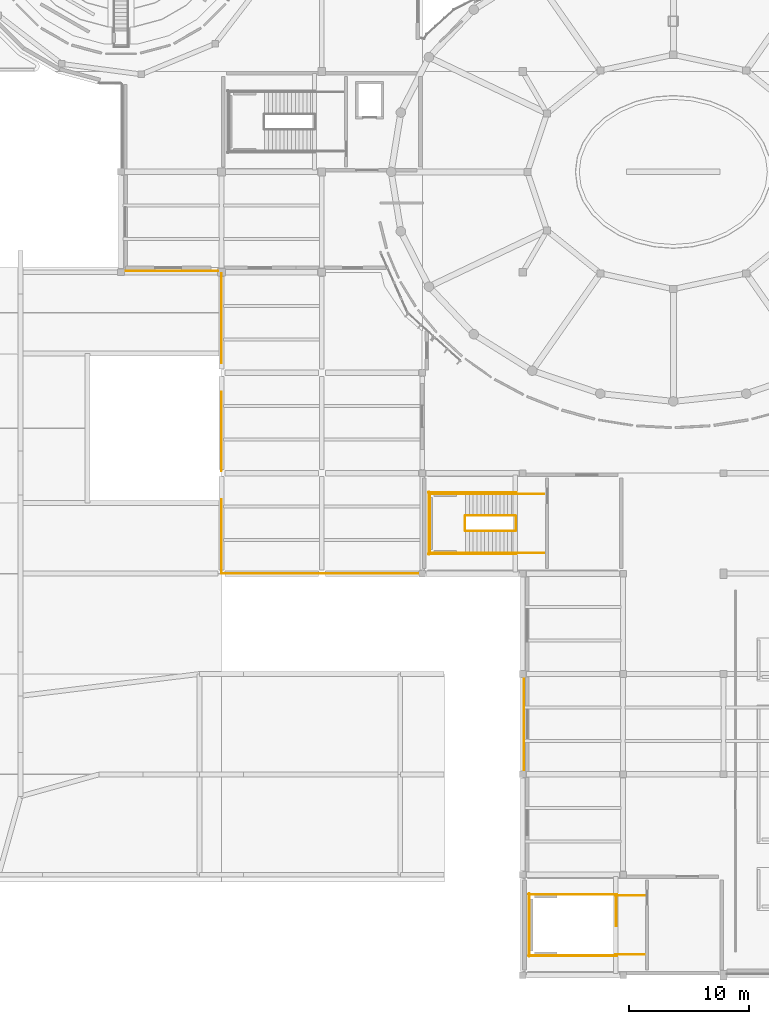
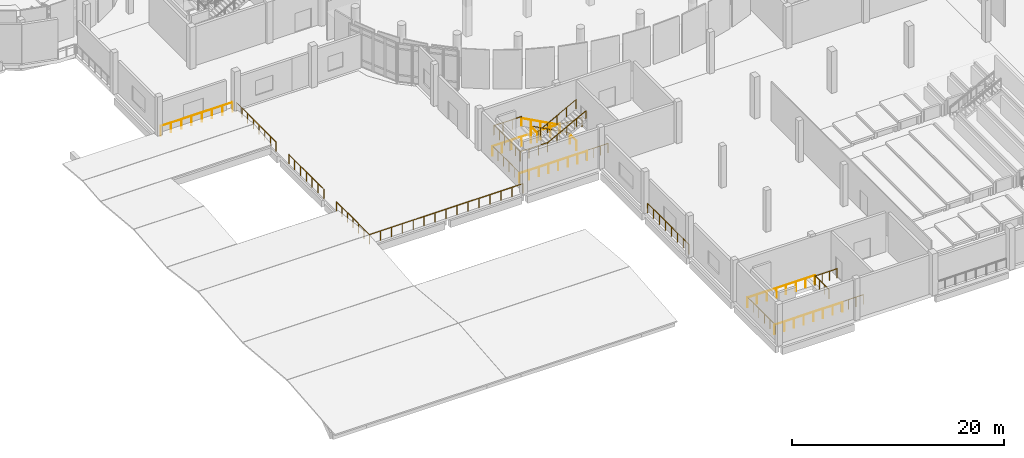
# One storey, part 49 of 63: 25 railings.
"""IFC4 building model written with IfcOpenShell, lengths in metres."""

from ifc_helpers import new_model, si_unit, derived_unit, direction, frame, origin, origin_2d, place, context, subcontext, project, spatial, circle, extrude, material, type_object, element, save


model = new_model("IFC4")

# Units and contexts
model_context = context("Model", 3, precision=1e-05, world=origin(), true_north=direction((0.0, 1.0)))
body_context = subcontext(model_context, "Body", "Model", "MODEL_VIEW")
ifc_project = project(units=[si_unit("LENGTHUNIT", "METRE"), si_unit("AREAUNIT", "SQUARE_METRE"), si_unit("VOLUMEUNIT", "CUBIC_METRE"), si_unit("PLANEANGLEUNIT", "RADIAN"), si_unit("MASSUNIT", "GRAM", prefix="KILO"), derived_unit("THERMALTRANSMITTANCEUNIT", [(si_unit("POWERUNIT", "WATT"), 1), (si_unit("LENGTHUNIT", "METRE"), -2), (si_unit("THERMODYNAMICTEMPERATUREUNIT", "KELVIN"), -1)])], contexts=[model_context])

# Site, building, storey
site_placement = place(None, origin())
site = spatial("IfcSite", under=ifc_project, at=site_placement, CompositionType="ELEMENT")
building_placement = place(site_placement, origin())
building = spatial("IfcBuilding", under=site, at=building_placement, Name="Elbkamm Science Centre", CompositionType="ELEMENT")
storey_placement = place(building_placement, frame((0.0, 0.0, 5.10009765625)))
storey = spatial("IfcBuildingStorey", under=building, at=storey_placement, Name="L01", CompositionType="ELEMENT", Elevation=5.10009765625)

# Railings
ifc_material = material(Name="Stainless steel EN 1.4401", Category="steel")
railing_type_1 = type_object("IfcRailingType", Name="RAIL-EXT-GUARD-1100", PredefinedType="GUARDRAIL", material=ifc_material)
railing_1_placement = place(storey_placement, frame((41.919921875, 33.60009765625, 0.0)))
element("IfcRailing", 1, at=railing_1_placement, inside=storey, type_object=railing_type_1, Name="L01 Outdoor Terrace Perimeter Guard 001", PredefinedType="GUARDRAIL", context=body_context, shape_type="SweptSolid", body=[
    extrude(circle(Radius=0.02392578125, at=origin_2d()), frame((0.0, 0.0, 1.078125), z_axis=(-1.0, 0.0, 0.0), x_axis=(0.0, -1.0, 0.0)), (0.0, 0.0, 1.0), 16.68994140625),
    extrude(circle(Radius=0.02392578125, at=origin_2d()), frame((-16.719970703125, 0.030029296875, 1.078125), z_axis=(0.0, 1.0, 0.0), x_axis=(-1.0, 0.0, 0.0)), (0.0, 0.0, 1.0), 6.169921875),
    extrude(circle(Radius=0.02001953125, at=origin_2d()), origin(), (0.0, 0.0, 1.0), 1.048095703125),
    extrude(circle(Radius=0.02001953125, at=origin_2d()), frame((-1.1943359375, 0.0, 0.0)), (0.0, 0.0, 1.0), 1.048095703125),
    extrude(circle(Radius=0.02001953125, at=origin_2d()), frame((-2.388671875, 0.0, 0.0)), (0.0, 0.0, 1.0), 1.048095703125),
    extrude(circle(Radius=0.02001953125, at=origin_2d()), frame((-3.582763671875, 0.0, 0.0)), (0.0, 0.0, 1.0), 1.048095703125),
    extrude(circle(Radius=0.02001953125, at=origin_2d()), frame((-4.777099609375, 0.0, 0.0)), (0.0, 0.0, 1.0), 1.048095703125),
    extrude(circle(Radius=0.02001953125, at=origin_2d()), frame((-5.971435546875, 0.0, 0.0)), (0.0, 0.0, 1.0), 1.048095703125),
    extrude(circle(Radius=0.02001953125, at=origin_2d()), frame((-7.165771484375, 0.0, 0.0)), (0.0, 0.0, 1.0), 1.048095703125),
    extrude(circle(Radius=0.02001953125, at=origin_2d()), frame((-8.35986328125, 0.0, 0.0)), (0.0, 0.0, 1.0), 1.048095703125),
    extrude(circle(Radius=0.02001953125, at=origin_2d()), frame((-9.55419921875, 0.0, 0.0)), (0.0, 0.0, 1.0), 1.048095703125),
    extrude(circle(Radius=0.02001953125, at=origin_2d()), frame((-10.74853515625, 0.0, 0.0)), (0.0, 0.0, 1.0), 1.048095703125),
    extrude(circle(Radius=0.02001953125, at=origin_2d()), frame((-11.94287109375, 0.0, 0.0)), (0.0, 0.0, 1.0), 1.048095703125),
    extrude(circle(Radius=0.02001953125, at=origin_2d()), frame((-13.13720703125, 0.0, 0.0)), (0.0, 0.0, 1.0), 1.048095703125),
    extrude(circle(Radius=0.02001953125, at=origin_2d()), frame((-14.331298828125, 0.0, 0.0)), (0.0, 0.0, 1.0), 1.048095703125),
    extrude(circle(Radius=0.02001953125, at=origin_2d()), frame((-15.525634765625, 0.0, 0.0)), (0.0, 0.0, 1.0), 1.048095703125),
    extrude(circle(Radius=0.02001953125, at=origin_2d()), frame((-16.719970703125, 0.0, 0.0)), (0.0, 0.0, 1.0), 1.048095703125),
    extrude(circle(Radius=0.02001953125, at=origin_2d()), frame((-16.719970703125, 1.033203125, 0.0)), (0.0, 0.0, 1.0), 1.048095703125),
    extrude(circle(Radius=0.02001953125, at=origin_2d()), frame((-16.719970703125, 2.066650390625, 0.0)), (0.0, 0.0, 1.0), 1.048095703125),
    extrude(circle(Radius=0.02001953125, at=origin_2d()), frame((-16.719970703125, 3.10009765625, 0.0)), (0.0, 0.0, 1.0), 1.048095703125),
    extrude(circle(Radius=0.02001953125, at=origin_2d()), frame((-16.719970703125, 4.13330078125, 0.0)), (0.0, 0.0, 1.0), 1.048095703125),
    extrude(circle(Radius=0.02001953125, at=origin_2d()), frame((-16.719970703125, 5.16650390625, 0.0)), (0.0, 0.0, 1.0), 1.048095703125),
    extrude(circle(Radius=0.02001953125, at=origin_2d()), frame((-16.719970703125, 6.199951171875, 0.0)), (0.0, 0.0, 1.0), 1.048095703125),
])
railing_2_placement = place(storey_placement, frame((25.199951171875, 42.199951171875, 0.0)))
element("IfcRailing", 2, at=railing_2_placement, inside=storey, type_object=railing_type_1, Name="L01 Outdoor Terrace Perimeter Guard 002", PredefinedType="GUARDRAIL", context=body_context, shape_type="SweptSolid", body=[
    extrude(circle(Radius=0.02392578125, at=origin_2d()), frame((0.0, 0.0, 1.078125), z_axis=(0.0, 1.0, 0.0), x_axis=(-1.0, 0.0, 0.0)), (0.0, 0.0, 1.0), 6.60009765625),
    extrude(circle(Radius=0.02001953125, at=origin_2d()), origin(), (0.0, 0.0, 1.0), 1.048095703125),
    extrude(circle(Radius=0.02001953125, at=origin_2d()), frame((0.0, 1.10009765625, 0.0)), (0.0, 0.0, 1.0), 1.048095703125),
    extrude(circle(Radius=0.02001953125, at=origin_2d()), frame((0.0, 2.199951171875, 0.0)), (0.0, 0.0, 1.0), 1.048095703125),
    extrude(circle(Radius=0.02001953125, at=origin_2d()), frame((0.0, 3.300048828125, 0.0)), (0.0, 0.0, 1.0), 1.048095703125),
    extrude(circle(Radius=0.02001953125, at=origin_2d()), frame((0.0, 4.400146484375, 0.0)), (0.0, 0.0, 1.0), 1.048095703125),
    extrude(circle(Radius=0.02001953125, at=origin_2d()), frame((0.0, 5.5, 0.0)), (0.0, 0.0, 1.0), 1.048095703125),
    extrude(circle(Radius=0.02001953125, at=origin_2d()), frame((0.0, 6.60009765625, 0.0)), (0.0, 0.0, 1.0), 1.048095703125),
])
railing_3_placement = place(storey_placement, frame((25.199951171875, 51.199951171875, 0.0)))
element("IfcRailing", 3, at=railing_3_placement, inside=storey, type_object=railing_type_1, Name="L01 Outdoor Terrace Perimeter Guard 003", PredefinedType="GUARDRAIL", context=body_context, shape_type="SweptSolid", body=[
    extrude(circle(Radius=0.02392578125, at=origin_2d()), frame((0.0, 0.0, 1.078125), z_axis=(0.0, 1.0, 0.0), x_axis=(-1.0, 0.0, 0.0)), (0.0, 0.0, 1.0), 7.52001953125),
    extrude(circle(Radius=0.02001953125, at=origin_2d()), origin(), (0.0, 0.0, 1.0), 1.048095703125),
    extrude(circle(Radius=0.02001953125, at=origin_2d()), frame((0.0, 1.07421875, 0.0)), (0.0, 0.0, 1.0), 1.048095703125),
    extrude(circle(Radius=0.02001953125, at=origin_2d()), frame((0.0, 2.148681640625, 0.0)), (0.0, 0.0, 1.0), 1.048095703125),
    extrude(circle(Radius=0.02001953125, at=origin_2d()), frame((0.0, 3.222900390625, 0.0)), (0.0, 0.0, 1.0), 1.048095703125),
    extrude(circle(Radius=0.02001953125, at=origin_2d()), frame((0.0, 4.297119140625, 0.0)), (0.0, 0.0, 1.0), 1.048095703125),
    extrude(circle(Radius=0.02001953125, at=origin_2d()), frame((0.0, 5.371337890625, 0.0)), (0.0, 0.0, 1.0), 1.048095703125),
    extrude(circle(Radius=0.02001953125, at=origin_2d()), frame((0.0, 6.44580078125, 0.0)), (0.0, 0.0, 1.0), 1.048095703125),
    extrude(circle(Radius=0.02001953125, at=origin_2d()), frame((0.0, 7.52001953125, 0.0)), (0.0, 0.0, 1.0), 1.048095703125),
])
railing_4_placement = place(storey_placement, frame((50.5, 17.080078125, 0.0)))
element("IfcRailing", 4, at=railing_4_placement, inside=storey, type_object=railing_type_1, Name="L01 Slab Edge Perimeter Guard 039", PredefinedType="GUARDRAIL", context=body_context, shape_type="SweptSolid", body=[
    extrude(circle(Radius=0.02392578125, at=origin_2d()), frame((0.0, 0.0, 1.078125), z_axis=(0.0, 1.0, 0.0), x_axis=(-1.0, 0.0, 0.0)), (0.0, 0.0, 1.0), 7.83984375),
    extrude(circle(Radius=0.02001953125, at=origin_2d()), origin(), (0.0, 0.0, 1.0), 1.048095703125),
    extrude(circle(Radius=0.02001953125, at=origin_2d()), frame((0.0, 1.119873046875, 0.0)), (0.0, 0.0, 1.0), 1.048095703125),
    extrude(circle(Radius=0.02001953125, at=origin_2d()), frame((0.0, 2.239990234375, 0.0)), (0.0, 0.0, 1.0), 1.048095703125),
    extrude(circle(Radius=0.02001953125, at=origin_2d()), frame((0.0, 3.35986328125, 0.0)), (0.0, 0.0, 1.0), 1.048095703125),
    extrude(circle(Radius=0.02001953125, at=origin_2d()), frame((0.0, 4.47998046875, 0.0)), (0.0, 0.0, 1.0), 1.048095703125),
    extrude(circle(Radius=0.02001953125, at=origin_2d()), frame((0.0, 5.599853515625, 0.0)), (0.0, 0.0, 1.0), 1.048095703125),
    extrude(circle(Radius=0.02001953125, at=origin_2d()), frame((0.0, 6.719970703125, 0.0)), (0.0, 0.0, 1.0), 1.048095703125),
    extrude(circle(Radius=0.02001953125, at=origin_2d()), frame((0.0, 7.83984375, 0.0)), (0.0, 0.0, 1.0), 1.048095703125),
])
railing_5_placement = place(storey_placement, frame((24.919921875, 58.89990234375, 0.0)))
element("IfcRailing", 5, at=railing_5_placement, inside=storey, type_object=railing_type_1, Name="L01 Slab Edge Perimeter Guard 040", PredefinedType="GUARDRAIL", context=body_context, shape_type="SweptSolid", body=[
    extrude(circle(Radius=0.02392578125, at=origin_2d()), frame((0.0, 0.0, 1.078125), z_axis=(-1.0, 0.0, 0.0), x_axis=(0.0, -1.0, 0.0)), (0.0, 0.0, 1.0), 7.83984375),
    extrude(circle(Radius=0.02001953125, at=origin_2d()), origin(), (0.0, 0.0, 1.0), 1.048095703125),
    extrude(circle(Radius=0.02001953125, at=origin_2d()), frame((-1.119873046875, 0.0, 0.0)), (0.0, 0.0, 1.0), 1.048095703125),
    extrude(circle(Radius=0.02001953125, at=origin_2d()), frame((-2.239990234375, 0.0, 0.0)), (0.0, 0.0, 1.0), 1.048095703125),
    extrude(circle(Radius=0.02001953125, at=origin_2d()), frame((-3.35986328125, 0.0, 0.0)), (0.0, 0.0, 1.0), 1.048095703125),
    extrude(circle(Radius=0.02001953125, at=origin_2d()), frame((-4.47998046875, 0.0, 0.0)), (0.0, 0.0, 1.0), 1.048095703125),
    extrude(circle(Radius=0.02001953125, at=origin_2d()), frame((-5.599853515625, 0.0, 0.0)), (0.0, 0.0, 1.0), 1.048095703125),
    extrude(circle(Radius=0.02001953125, at=origin_2d()), frame((-6.719970703125, 0.0, 0.0)), (0.0, 0.0, 1.0), 1.048095703125),
    extrude(circle(Radius=0.02001953125, at=origin_2d()), frame((-7.83984375, 0.0, 0.0)), (0.0, 0.0, 1.0), 1.048095703125),
])
railing_type_2 = type_object("IfcRailingType", Name="RAIL-GUARD-1100", PredefinedType="GUARDRAIL", material=ifc_material)
railing_6_placement = place(storey_placement, frame((49.780029296875, 38.449951171875, 0.17138671875)))
element("IfcRailing", 6, at=railing_6_placement, inside=storey, type_object=railing_type_2, Name="L01 ST-C5 stair guard 1", PredefinedType="GUARDRAIL", context=body_context, shape_type="SweptSolid", body=[
    extrude(circle(Radius=0.02392578125, at=origin_2d()), frame((0.0, 0.0, 1.078125), z_axis=(-0.881480739103, 0.0, 0.472219976908), x_axis=(0.0, -1.0, 0.0)), (0.0, 0.0, 1.0), 4.71923828125),
    extrude(circle(Radius=0.02001953125, at=origin_2d()), origin(), (0.0, 0.0, 1.0), 1.048095703125),
    extrude(circle(Radius=0.02001953125, at=origin_2d()), frame((-1.0400390625, 0.0, 0.55712890625)), (0.0, 0.0, 1.0), 1.048095703125),
    extrude(circle(Radius=0.02001953125, at=origin_2d()), frame((-2.080078125, 0.0, 1.1142578125)), (0.0, 0.0, 1.0), 1.048095703125),
    extrude(circle(Radius=0.02001953125, at=origin_2d()), frame((-3.119873046875, 0.0, 1.67138671875)), (0.0, 0.0, 1.0), 1.048095703125),
    extrude(circle(Radius=0.02001953125, at=origin_2d()), frame((-4.159912109375, 0.0, 2.228515625)), (0.0, 0.0, 1.0), 1.048095703125),
])
railing_7_placement = place(storey_placement, frame((45.570068359375, 38.39990234375, 2.39990234375)))
element("IfcRailing", 7, at=railing_7_placement, inside=storey, type_object=railing_type_2, Name="L01 ST-C5 stair guard 2", PredefinedType="GUARDRAIL", context=body_context, shape_type="SweptSolid", body=[
    extrude(circle(Radius=0.02392578125, at=origin_2d()), frame((0.0, 0.0, 1.078125), z_axis=(0.0, -1.0, 0.0), x_axis=(1.0, 0.0, 0.0)), (0.0, 0.0, 1.0), 1.199951171875),
    extrude(circle(Radius=0.02001953125, at=origin_2d()), origin(), (0.0, 0.0, 1.0), 1.048095703125),
    extrude(circle(Radius=0.02001953125, at=origin_2d()), frame((0.0, -1.199951171875, 0.0)), (0.0, 0.0, 1.0), 1.048095703125),
])
for number, where, name in (
    (8, (45.6201171875, 40.27001953125, 2.39990234375), "L01 ST-C5 stair guard 3"),
    (9, (45.6201171875, 35.330078125, 2.39990234375), "L01 ST-C5 stair guard 4"),
):
    element("IfcRailing", number, at=place(storey_placement, frame(where)), inside=storey, type_object=railing_type_2, Name=name, PredefinedType="GUARDRAIL", context=body_context, shape_type="SweptSolid", body=[
        extrude(circle(Radius=0.02392578125, at=origin_2d()), frame((0.0, 0.0, 1.078125), z_axis=(-1.0, 0.0, 0.0), x_axis=(0.0, -1.0, 0.0)), (0.0, 0.0, 1.0), 3.02001953125),
        extrude(circle(Radius=0.02001953125, at=origin_2d()), origin(), (0.0, 0.0, 1.0), 1.048095703125),
        extrude(circle(Radius=0.02001953125, at=origin_2d()), frame((-1.006591796875, 0.0, 0.0)), (0.0, 0.0, 1.0), 1.048095703125),
        extrude(circle(Radius=0.02001953125, at=origin_2d()), frame((-2.013427734375, 0.0, 0.0)), (0.0, 0.0, 1.0), 1.048095703125),
        extrude(circle(Radius=0.02001953125, at=origin_2d()), frame((-3.02001953125, 0.0, 0.0)), (0.0, 0.0, 1.0), 1.048095703125),
    ])
railing_8_placement = place(storey_placement, frame((42.64990234375, 40.320068359375, 2.39990234375)))
element("IfcRailing", 10, at=railing_8_placement, inside=storey, type_object=railing_type_2, Name="L01 ST-C5 stair guard 5", PredefinedType="GUARDRAIL", context=body_context, shape_type="SweptSolid", body=[
    extrude(circle(Radius=0.02392578125, at=origin_2d()), frame((0.0, 0.0, 1.078125), z_axis=(0.0, -1.0, 0.0), x_axis=(1.0, 0.0, 0.0)), (0.0, 0.0, 1.0), 5.0400390625),
    extrude(circle(Radius=0.02001953125, at=origin_2d()), origin(), (0.0, 0.0, 1.0), 1.048095703125),
    extrude(circle(Radius=0.02001953125, at=origin_2d()), frame((0.0, -1.008056640625, 0.0)), (0.0, 0.0, 1.0), 1.048095703125),
    extrude(circle(Radius=0.02001953125, at=origin_2d()), frame((0.0, -2.01611328125, 0.0)), (0.0, 0.0, 1.0), 1.048095703125),
    extrude(circle(Radius=0.02001953125, at=origin_2d()), frame((0.0, -3.02392578125, 0.0)), (0.0, 0.0, 1.0), 1.048095703125),
    extrude(circle(Radius=0.02001953125, at=origin_2d()), frame((0.0, -4.031982421875, 0.0)), (0.0, 0.0, 1.0), 1.048095703125),
    extrude(circle(Radius=0.02001953125, at=origin_2d()), frame((0.0, -5.0400390625, 0.0)), (0.0, 0.0, 1.0), 1.048095703125),
])
railing_9_placement = place(storey_placement, frame((45.6201171875, 37.14990234375, 2.5712890625)))
element("IfcRailing", 11, at=railing_9_placement, inside=storey, type_object=railing_type_2, Name="L01 ST-C5 stair guard 6", PredefinedType="GUARDRAIL", context=body_context, shape_type="SweptSolid", body=[
    extrude(circle(Radius=0.02392578125, at=origin_2d()), frame((0.0, 0.0, 1.078125), z_axis=(0.881480739103, 0.0, 0.472219976908), x_axis=(0.0, 1.0, 0.0)), (0.0, 0.0, 1.0), 4.71923828125),
    extrude(circle(Radius=0.02001953125, at=origin_2d()), origin(), (0.0, 0.0, 1.0), 1.048095703125),
    extrude(circle(Radius=0.02001953125, at=origin_2d()), frame((1.0400390625, 0.0, 0.55712890625)), (0.0, 0.0, 1.0), 1.048095703125),
    extrude(circle(Radius=0.02001953125, at=origin_2d()), frame((2.080078125, 0.0, 1.1142578125)), (0.0, 0.0, 1.0), 1.048095703125),
    extrude(circle(Radius=0.02001953125, at=origin_2d()), frame((3.119873046875, 0.0, 1.67138671875)), (0.0, 0.0, 1.0), 1.048095703125),
    extrude(circle(Radius=0.02001953125, at=origin_2d()), frame((4.159912109375, 0.0, 2.228515625)), (0.0, 0.0, 1.0), 1.048095703125),
])
railing_10_placement = place(storey_placement, frame((49.830078125, 38.39990234375, 0.0)))
element("IfcRailing", 12, at=railing_10_placement, inside=storey, type_object=railing_type_2, Name="L01 ST-C5 stair guard 7", PredefinedType="GUARDRAIL", context=body_context, shape_type="SweptSolid", body=[
    extrude(circle(Radius=0.02392578125, at=origin_2d()), frame((0.0, 0.0, 1.078125), z_axis=(0.0, -1.0, 0.0), x_axis=(1.0, 0.0, 0.0)), (0.0, 0.0, 1.0), 1.199951171875),
    extrude(circle(Radius=0.02001953125, at=origin_2d()), origin(), (0.0, 0.0, 1.0), 1.048095703125),
    extrude(circle(Radius=0.02001953125, at=origin_2d()), frame((0.0, -1.199951171875, 0.0)), (0.0, 0.0, 1.0), 1.048095703125),
])
for number, where, name in (
    (13, (52.199951171875, 40.27001953125, 0.0), "L01 ST-C5 stair guard 8"),
    (14, (52.199951171875, 35.330078125, 0.0), "L01 ST-C5 stair guard 9"),
):
    element("IfcRailing", number, at=place(storey_placement, frame(where)), inside=storey, type_object=railing_type_2, Name=name, PredefinedType="GUARDRAIL", context=body_context, shape_type="SweptSolid", body=[
        extrude(circle(Radius=0.02392578125, at=origin_2d()), frame((0.0, 0.0, 1.078125), z_axis=(-1.0, 0.0, 0.0), x_axis=(0.0, -1.0, 0.0)), (0.0, 0.0, 1.0), 2.419921875),
        extrude(circle(Radius=0.02001953125, at=origin_2d()), origin(), (0.0, 0.0, 1.0), 1.048095703125),
        extrude(circle(Radius=0.02001953125, at=origin_2d()), frame((-0.806640625, 0.0, 0.0)), (0.0, 0.0, 1.0), 1.048095703125),
        extrude(circle(Radius=0.02001953125, at=origin_2d()), frame((-1.61328125, 0.0, 0.0)), (0.0, 0.0, 1.0), 1.048095703125),
        extrude(circle(Radius=0.02001953125, at=origin_2d()), frame((-2.419921875, 0.0, 0.0)), (0.0, 0.0, 1.0), 1.048095703125),
    ])
for number, where, name in (
    (15, (49.8798828125, 40.3701171875, 0.0), "L01 ST-C5 stair guard 10"),
    (16, (49.8798828125, 35.22998046875, 0.0), "L01 ST-C5 stair guard 11"),
):
    element("IfcRailing", number, at=place(storey_placement, frame(where)), inside=storey, type_object=railing_type_2, Name=name, PredefinedType="GUARDRAIL", context=body_context, shape_type="SweptSolid", body=[
        extrude(circle(Radius=0.02392578125, at=origin_2d()), frame((0.0, 0.0, 1.078125), z_axis=(-1.0, 0.0, 0.0), x_axis=(0.0, -1.0, 0.0)), (0.0, 0.0, 1.0), 7.3798828125),
        extrude(circle(Radius=0.02001953125, at=origin_2d()), origin(), (0.0, 0.0, 1.0), 1.048095703125),
        extrude(circle(Radius=0.02001953125, at=origin_2d()), frame((-1.05419921875, 0.0, 0.0)), (0.0, 0.0, 1.0), 1.048095703125),
        extrude(circle(Radius=0.02001953125, at=origin_2d()), frame((-2.108642578125, 0.0, 0.0)), (0.0, 0.0, 1.0), 1.048095703125),
        extrude(circle(Radius=0.02001953125, at=origin_2d()), frame((-3.162841796875, 0.0, 0.0)), (0.0, 0.0, 1.0), 1.048095703125),
        extrude(circle(Radius=0.02001953125, at=origin_2d()), frame((-4.217041015625, 0.0, 0.0)), (0.0, 0.0, 1.0), 1.048095703125),
        extrude(circle(Radius=0.02001953125, at=origin_2d()), frame((-5.271240234375, 0.0, 0.0)), (0.0, 0.0, 1.0), 1.048095703125),
        extrude(circle(Radius=0.02001953125, at=origin_2d()), frame((-6.32568359375, 0.0, 0.0)), (0.0, 0.0, 1.0), 1.048095703125),
        extrude(circle(Radius=0.02001953125, at=origin_2d()), frame((-7.3798828125, 0.0, 0.0)), (0.0, 0.0, 1.0), 1.048095703125),
    ])
railing_11_placement = place(storey_placement, frame((42.550048828125, 40.419921875, 0.0)))
element("IfcRailing", 17, at=railing_11_placement, inside=storey, type_object=railing_type_2, Name="L01 ST-C5 stair guard 12", PredefinedType="GUARDRAIL", context=body_context, shape_type="SweptSolid", body=[
    extrude(circle(Radius=0.02392578125, at=origin_2d()), frame((0.0, 0.0, 1.078125), z_axis=(0.0, -1.0, 0.0), x_axis=(1.0, 0.0, 0.0)), (0.0, 0.0, 1.0), 5.239990234375),
    extrude(circle(Radius=0.02001953125, at=origin_2d()), origin(), (0.0, 0.0, 1.0), 1.048095703125),
    extrude(circle(Radius=0.02001953125, at=origin_2d()), frame((0.0, -1.048095703125, 0.0)), (0.0, 0.0, 1.0), 1.048095703125),
    extrude(circle(Radius=0.02001953125, at=origin_2d()), frame((0.0, -2.095947265625, 0.0)), (0.0, 0.0, 1.0), 1.048095703125),
    extrude(circle(Radius=0.02001953125, at=origin_2d()), frame((0.0, -3.14404296875, 0.0)), (0.0, 0.0, 1.0), 1.048095703125),
    extrude(circle(Radius=0.02001953125, at=origin_2d()), frame((0.0, -4.19189453125, 0.0)), (0.0, 0.0, 1.0), 1.048095703125),
    extrude(circle(Radius=0.02001953125, at=origin_2d()), frame((0.0, -5.239990234375, 0.0)), (0.0, 0.0, 1.0), 1.048095703125),
])
railing_12_placement = place(storey_placement, frame((58.22998046875, 6.719970703125, 0.0)))
element("IfcRailing", 18, at=railing_12_placement, inside=storey, type_object=railing_type_2, Name="L01 ST-C6 top well guard 1", PredefinedType="GUARDRAIL", context=body_context, shape_type="SweptSolid", body=[
    extrude(circle(Radius=0.02392578125, at=origin_2d()), frame((0.0, 0.0, 1.078125), z_axis=(0.0, -1.0, 0.0), x_axis=(1.0, 0.0, 0.0)), (0.0, 0.0, 1.0), 2.619873046875),
    extrude(circle(Radius=0.02001953125, at=origin_2d()), origin(), (0.0, 0.0, 1.0), 1.048095703125),
    extrude(circle(Radius=0.02001953125, at=origin_2d()), frame((0.0, -0.873291015625, 0.0)), (0.0, 0.0, 1.0), 1.048095703125),
    extrude(circle(Radius=0.02001953125, at=origin_2d()), frame((0.0, -1.74658203125, 0.0)), (0.0, 0.0, 1.0), 1.048095703125),
    extrude(circle(Radius=0.02001953125, at=origin_2d()), frame((0.0, -2.619873046875, 0.0)), (0.0, 0.0, 1.0), 1.048095703125),
])
for number, where, name in (
    (19, (58.280029296875, 6.77001953125, 0.0), "L01 ST-C6 top well guard 2"),
    (20, (58.280029296875, 1.6298828125, 0.0), "L01 ST-C6 top well guard 3"),
):
    element("IfcRailing", number, at=place(storey_placement, frame(where)), inside=storey, type_object=railing_type_2, Name=name, PredefinedType="GUARDRAIL", context=body_context, shape_type="SweptSolid", body=[
        extrude(circle(Radius=0.02392578125, at=origin_2d()), frame((0.0, 0.0, 1.078125), z_axis=(-1.0, 0.0, 0.0), x_axis=(0.0, -1.0, 0.0)), (0.0, 0.0, 1.0), 7.380126953125),
        extrude(circle(Radius=0.02001953125, at=origin_2d()), origin(), (0.0, 0.0, 1.0), 1.048095703125),
        extrude(circle(Radius=0.02001953125, at=origin_2d()), frame((-1.05419921875, 0.0, 0.0)), (0.0, 0.0, 1.0), 1.048095703125),
        extrude(circle(Radius=0.02001953125, at=origin_2d()), frame((-2.108642578125, 0.0, 0.0)), (0.0, 0.0, 1.0), 1.048095703125),
        extrude(circle(Radius=0.02001953125, at=origin_2d()), frame((-3.162841796875, 0.0, 0.0)), (0.0, 0.0, 1.0), 1.048095703125),
        extrude(circle(Radius=0.02001953125, at=origin_2d()), frame((-4.21728515625, 0.0, 0.0)), (0.0, 0.0, 1.0), 1.048095703125),
        extrude(circle(Radius=0.02001953125, at=origin_2d()), frame((-5.271484375, 0.0, 0.0)), (0.0, 0.0, 1.0), 1.048095703125),
        extrude(circle(Radius=0.02001953125, at=origin_2d()), frame((-6.325927734375, 0.0, 0.0)), (0.0, 0.0, 1.0), 1.048095703125),
        extrude(circle(Radius=0.02001953125, at=origin_2d()), frame((-7.380126953125, 0.0, 0.0)), (0.0, 0.0, 1.0), 1.048095703125),
    ])
railing_13_placement = place(storey_placement, frame((50.949951171875, 6.820068359375, 0.0)))
element("IfcRailing", 21, at=railing_13_placement, inside=storey, type_object=railing_type_2, Name="L01 ST-C6 top well guard 4", PredefinedType="GUARDRAIL", context=body_context, shape_type="SweptSolid", body=[
    extrude(circle(Radius=0.02392578125, at=origin_2d()), frame((0.0, 0.0, 1.078125), z_axis=(0.0, -1.0, 0.0), x_axis=(1.0, 0.0, 0.0)), (0.0, 0.0, 1.0), 5.239990234375),
    extrude(circle(Radius=0.02001953125, at=origin_2d()), origin(), (0.0, 0.0, 1.0), 1.048095703125),
    extrude(circle(Radius=0.02001953125, at=origin_2d()), frame((0.0, -1.048095703125, 0.0)), (0.0, 0.0, 1.0), 1.048095703125),
    extrude(circle(Radius=0.02001953125, at=origin_2d()), frame((0.0, -2.095947265625, 0.0)), (0.0, 0.0, 1.0), 1.048095703125),
    extrude(circle(Radius=0.02001953125, at=origin_2d()), frame((0.0, -3.14404296875, 0.0)), (0.0, 0.0, 1.0), 1.048095703125),
    extrude(circle(Radius=0.02001953125, at=origin_2d()), frame((0.0, -4.19189453125, 0.0)), (0.0, 0.0, 1.0), 1.048095703125),
    extrude(circle(Radius=0.02001953125, at=origin_2d()), frame((0.0, -5.239990234375, 0.0)), (0.0, 0.0, 1.0), 1.048095703125),
])
for number, where, name in (
    (22, (60.60009765625, 6.669921875, 0.0), "L01 ST-C6 top well guard 5"),
    (23, (60.60009765625, 1.72998046875, 0.0), "L01 ST-C6 top well guard 6"),
):
    element("IfcRailing", number, at=place(storey_placement, frame(where)), inside=storey, type_object=railing_type_2, Name=name, PredefinedType="GUARDRAIL", context=body_context, shape_type="SweptSolid", body=[
        extrude(circle(Radius=0.02392578125, at=origin_2d()), frame((0.0, 0.0, 1.078125), z_axis=(-1.0, 0.0, 0.0), x_axis=(0.0, -1.0, 0.0)), (0.0, 0.0, 1.0), 2.420166015625),
        extrude(circle(Radius=0.02001953125, at=origin_2d()), origin(), (0.0, 0.0, 1.0), 1.048095703125),
        extrude(circle(Radius=0.02001953125, at=origin_2d()), frame((-0.806640625, 0.0, 0.0)), (0.0, 0.0, 1.0), 1.048095703125),
        extrude(circle(Radius=0.02001953125, at=origin_2d()), frame((-1.613525390625, 0.0, 0.0)), (0.0, 0.0, 1.0), 1.048095703125),
        extrude(circle(Radius=0.02001953125, at=origin_2d()), frame((-2.420166015625, 0.0, 0.0)), (0.0, 0.0, 1.0), 1.048095703125),
    ])
railing_type_3 = type_object("IfcRailingType", Name="RAIL-HAND-900", PredefinedType="HANDRAIL", material=ifc_material)
railing_14_placement = place(storey_placement, frame((49.780029296875, 40.27001953125, 0.17138671875)))
element("IfcRailing", 24, at=railing_14_placement, inside=storey, type_object=railing_type_3, Name="L01 ST-C5 stair handrail 1", PredefinedType="HANDRAIL", context=body_context, shape_type="SweptSolid", body=[
    extrude(circle(Radius=0.02392578125, at=origin_2d()), frame((0.0, 0.0, 0.8779296875), z_axis=(-0.881480739103, 0.0, 0.472219976908), x_axis=(0.0, -1.0, 0.0)), (0.0, 0.0, 1.0), 4.71923828125),
    extrude(circle(Radius=0.02001953125, at=origin_2d()), origin(), (0.0, 0.0, 1.0), 0.847900390625),
    extrude(circle(Radius=0.02001953125, at=origin_2d()), frame((-1.0400390625, 0.0, 0.55712890625)), (0.0, 0.0, 1.0), 0.847900390625),
    extrude(circle(Radius=0.02001953125, at=origin_2d()), frame((-2.080078125, 0.0, 1.1142578125)), (0.0, 0.0, 1.0), 0.847900390625),
    extrude(circle(Radius=0.02001953125, at=origin_2d()), frame((-3.119873046875, 0.0, 1.67138671875)), (0.0, 0.0, 1.0), 0.847900390625),
    extrude(circle(Radius=0.02001953125, at=origin_2d()), frame((-4.159912109375, 0.0, 2.228515625)), (0.0, 0.0, 1.0), 0.847900390625),
])
railing_15_placement = place(storey_placement, frame((45.6201171875, 35.330078125, 2.5712890625)))
element("IfcRailing", 25, at=railing_15_placement, inside=storey, type_object=railing_type_3, Name="L01 ST-C5 stair handrail 2", PredefinedType="HANDRAIL", context=body_context, shape_type="SweptSolid", body=[
    extrude(circle(Radius=0.02392578125, at=origin_2d()), frame((0.0, 0.0, 0.8779296875), z_axis=(0.881480739103, 0.0, 0.472219976908), x_axis=(0.0, 1.0, 0.0)), (0.0, 0.0, 1.0), 4.71923828125),
    extrude(circle(Radius=0.02001953125, at=origin_2d()), origin(), (0.0, 0.0, 1.0), 0.847900390625),
    extrude(circle(Radius=0.02001953125, at=origin_2d()), frame((1.0400390625, 0.0, 0.55712890625)), (0.0, 0.0, 1.0), 0.847900390625),
    extrude(circle(Radius=0.02001953125, at=origin_2d()), frame((2.080078125, 0.0, 1.1142578125)), (0.0, 0.0, 1.0), 0.847900390625),
    extrude(circle(Radius=0.02001953125, at=origin_2d()), frame((3.119873046875, 0.0, 1.67138671875)), (0.0, 0.0, 1.0), 0.847900390625),
    extrude(circle(Radius=0.02001953125, at=origin_2d()), frame((4.159912109375, 0.0, 2.228515625)), (0.0, 0.0, 1.0), 0.847900390625),
])

save(model, "model.ifc")
